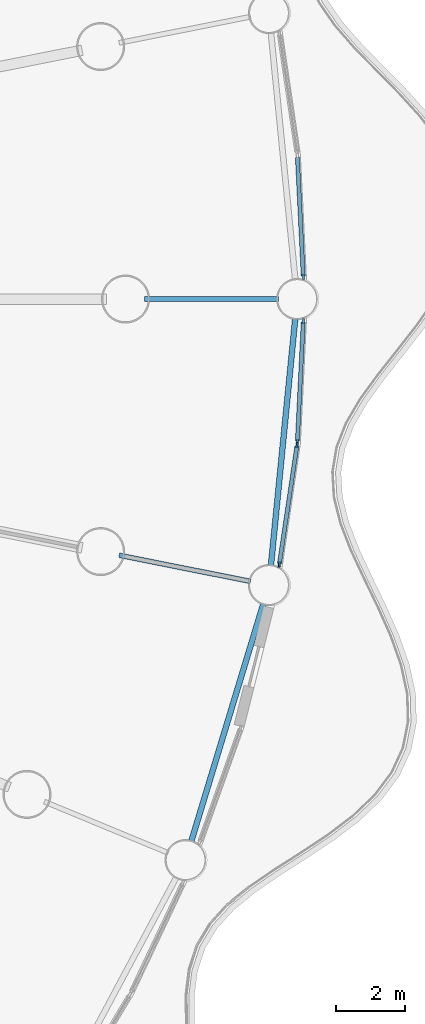
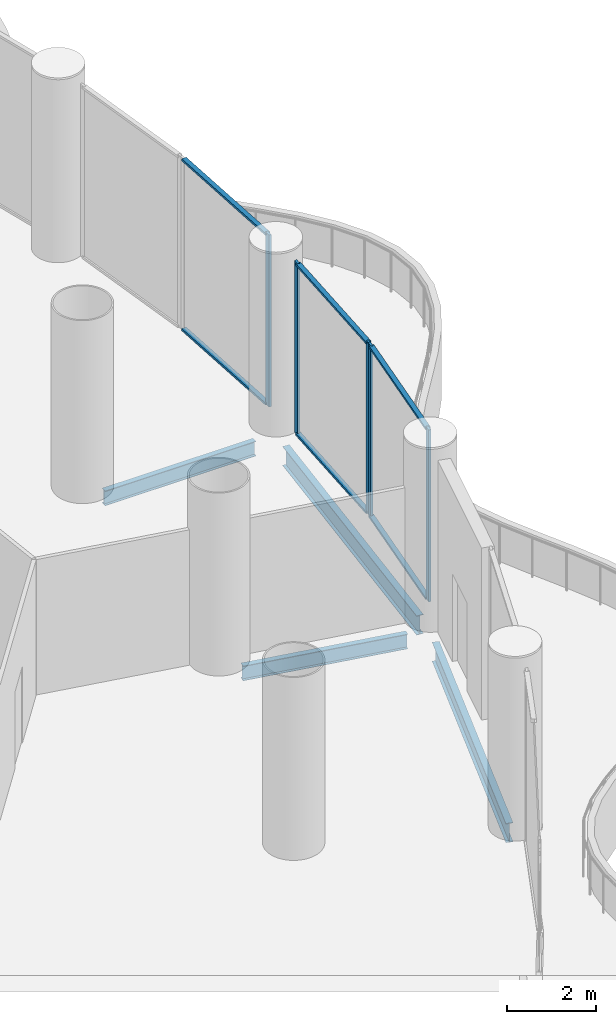
# One storey, part 12 of 38: 11 members, 4 beams, 3 elements without a shape of their own.
"""IFC4 building model written with IfcOpenShell, lengths in metres."""

from ifc_helpers import new_model, si_unit, direction, frame, origin, origin_2d, place, context, subcontext, project, spatial, rectangle, i_section, extrude, material, material_profile, profile_set, type_object, element, aggregate, save


model = new_model("IFC4")

# Units and contexts
model_context = context("Model", 3, precision=1e-05, world=origin(), true_north=direction((0.0, 1.0)))
body_context = subcontext(model_context, "Body", "Model", "MODEL_VIEW")
ifc_project = project(units=[si_unit("LENGTHUNIT", "METRE"), si_unit("AREAUNIT", "SQUARE_METRE"), si_unit("VOLUMEUNIT", "CUBIC_METRE"), si_unit("PLANEANGLEUNIT", "RADIAN"), si_unit("MASSUNIT", "GRAM", prefix="KILO")], contexts=[model_context])

# Site, building, storey
site_placement = place(None, origin())
site = spatial("IfcSite", under=ifc_project, at=site_placement, CompositionType="ELEMENT")
building_placement = place(site_placement, origin())
building = spatial("IfcBuilding", under=site, at=building_placement, Name="Corvane Civic Tower", CompositionType="ELEMENT")
storey_placement = place(building_placement, frame((0.0, 0.0, 32.0)))
storey = spatial("IfcBuildingStorey", under=building, at=storey_placement, Name="L06", CompositionType="ELEMENT", Elevation=32.0)

# Beams
ifc_material_1 = material(Name="Steel ASTM A992 Gr 50", Category="steel")
ifc_material_profile_1 = material_profile(ifc_material_1, i_section(OverallWidth=0.165771484375, OverallDepth=0.5283203125, WebThickness=0.009765625, FlangeThickness=0.013671875, at=origin_2d()), Name="W21X50")
ifc_profile_set_1 = profile_set([ifc_material_profile_1], Name="Steel ASTM A992 Gr 50")
beam_type_1 = type_object("IfcBeamType", Name="EDGE BEAM W21X50", PredefinedType="BEAM", material=ifc_profile_set_1)
for number, where, z_axis, x_axis, name in (
    (1, (42.64599609375, -0.54736328125, -0.564208984375), (-0.097984225478, -0.995187967953, 0.0), (0.995187967953, -0.097984225478, 0.0), "BM-L06-E09"),
    (2, (41.719970703125, -8.856689453125, -0.564208984375), (-0.290291633127, -0.956938225664, 0.0), (0.956938225664, -0.290291633127, 0.0), "BM-L06-E10"),
):
    element("IfcBeam", number, at=place(storey_placement, frame(where, z_axis=z_axis, x_axis=x_axis)), inside=storey, type_object=beam_type_1, Name=name, PredefinedType="BEAM", context=body_context, shape_type="SweptSolid", body=[
        extrude(i_section(OverallWidth=0.165771484375, OverallDepth=0.5283203125, WebThickness=0.009765625, FlangeThickness=0.013671875, at=origin_2d()), origin(), (0.0, 0.0, 1.0), 7.2705078125),
    ])
ifc_material_2 = material(Name="Steel ASTM A992 Gr 50", Category="steel")
ifc_material_profile_2 = material_profile(ifc_material_2, i_section(OverallWidth=0.140380859375, OverallDepth=0.40380859375, WebThickness=0.007080078125, FlangeThickness=0.01123046875, at=origin_2d()), Name="W16X31")
ifc_profile_set_2 = profile_set([ifc_material_profile_2], Name="Steel ASTM A992 Gr 50")
beam_type_2 = type_object("IfcBeamType", Name="FLOOR GIRDER W16X31", PredefinedType="BEAM", material=ifc_profile_set_2)
for number, where, z_axis, x_axis, name in (
    (3, (38.25, 0.0, -0.501953125), (1.0, 0.0, 0.0), (0.0, 1.0, 0.0), "BM-L06-G09b"),
    (4, (37.51513671875, -7.462158203125, -0.501953125), (0.980777614264, -0.195128858343, 0.0), (0.195128858343, 0.980777614264, 0.0), "BM-L06-G10b"),
):
    element("IfcBeam", number, at=place(storey_placement, frame(where, z_axis=z_axis, x_axis=x_axis)), inside=storey, type_object=beam_type_2, Name=name, PredefinedType="BEAM", context=body_context, shape_type="SweptSolid", body=[
        extrude(i_section(OverallWidth=0.140380859375, OverallDepth=0.40380859375, WebThickness=0.007080078125, FlangeThickness=0.01123046875, at=origin_2d()), origin(), (0.0, 0.0, 1.0), 3.89990234375),
    ])

# Curtain wall, member
ifc_material_3 = material(Name="Aluminium and glass", Category="aluminium")
curtain_wall_type = type_object("IfcCurtainWallType", Name="PODIUM-CW-P-RUN", PredefinedType="NOTDEFINED", material=ifc_material_3)
curtain_wall_1_placement = place(storey_placement, origin())
curtain_wall_1 = element("IfcCurtainWall", 5, at=curtain_wall_1_placement, inside=storey, type_object=curtain_wall_type, Name="PODI run L06-drum-08B", PredefinedType="NOTDEFINED")
ifc_material_4 = material(Name="Anodised aluminium bronze", Category="aluminium")
ifc_material_profile_3 = material_profile(ifc_material_4, rectangle(XDim=0.06005859375, YDim=0.159912109375, at=origin_2d()), Name="AL 60x160")
ifc_profile_set_3 = profile_set([ifc_material_profile_3], Name="Anodised aluminium bronze")
member_type_1 = type_object("IfcMemberType", Name="PODIUM-CWP-MULLION-60x160", PredefinedType="MULLION", material=ifc_profile_set_3)
member_1_placement = place(storey_placement, frame((42.878173828125, 0.644775390625, 0.0), z_axis=(0.0, 0.0, 1.0), x_axis=(0.998796316803, 0.04905015332, 0.0)))
member_1 = element("IfcMember", 6, at=member_1_placement, type_object=member_type_1, Name="CW-P mullion 2", PredefinedType="MULLION", context=body_context, shape_type="SweptSolid", body=[
    extrude(rectangle(XDim=0.06005859375, YDim=0.159912109375, at=origin_2d()), origin(), (0.0, 0.0, 1.0), 4.699951171875),
])

# Curtain wall, members
curtain_wall_2_placement = place(storey_placement, origin())
curtain_wall_2 = element("IfcCurtainWall", 7, at=curtain_wall_2_placement, inside=storey, type_object=curtain_wall_type, Name="PODI run L06-drum-09A", PredefinedType="NOTDEFINED")
member_2_placement = place(storey_placement, frame((42.878173828125, -0.644775390625, 0.0), z_axis=(0.0, 0.0, 1.0), x_axis=(0.998796316803, -0.04905015332, 0.0)))
member_2 = element("IfcMember", 8, at=member_2_placement, type_object=member_type_1, Name="CW-P mullion 1", PredefinedType="MULLION", context=body_context, shape_type="SweptSolid", body=[
    extrude(rectangle(XDim=0.06005859375, YDim=0.159912109375, at=origin_2d()), origin(), (0.0, 0.0, 1.0), 4.699951171875),
])
member_3_placement = place(storey_placement, frame((42.70556640625, -4.16064453125, 0.0), z_axis=(0.0, 0.0, 1.0), x_axis=(0.998796316803, -0.04905015332, 0.0)))
member_3 = element("IfcMember", 9, at=member_3_placement, type_object=member_type_1, Name="CW-P mullion 2", PredefinedType="MULLION", context=body_context, shape_type="SweptSolid", body=[
    extrude(rectangle(XDim=0.06005859375, YDim=0.159912109375, at=origin_2d()), origin(), (0.0, 0.0, 1.0), 4.699951171875),
])

curtain_wall_3_placement = place(storey_placement, origin())
curtain_wall_3 = element("IfcCurtainWall", 10, at=curtain_wall_3_placement, inside=storey, type_object=curtain_wall_type, Name="PODI run L06-drum-09B", PredefinedType="NOTDEFINED")
member_4_placement = place(storey_placement, frame((42.696533203125, -4.2509765625, 0.0), z_axis=(0.0, 0.0, 1.0), x_axis=(0.989178850608, -0.146714694252, 0.0)))
member_4 = element("IfcMember", 11, at=member_4_placement, type_object=member_type_1, Name="CW-P mullion 1", PredefinedType="MULLION", context=body_context, shape_type="SweptSolid", body=[
    extrude(rectangle(XDim=0.06005859375, YDim=0.159912109375, at=origin_2d()), origin(), (0.0, 0.0, 1.0), 4.699951171875),
])
member_5_placement = place(storey_placement, frame((42.18017578125, -7.732666015625, 0.0), z_axis=(0.0, 0.0, 1.0), x_axis=(0.989178850608, -0.146714694252, 0.0)))
member_5 = element("IfcMember", 12, at=member_5_placement, type_object=member_type_1, Name="CW-P mullion 2", PredefinedType="MULLION", context=body_context, shape_type="SweptSolid", body=[
    extrude(rectangle(XDim=0.06005859375, YDim=0.159912109375, at=origin_2d()), origin(), (0.0, 0.0, 1.0), 4.699951171875),
])

# Member
ifc_material_5 = material(Name="Anodised aluminium bronze", Category="aluminium")
ifc_material_profile_4 = material_profile(ifc_material_5, rectangle(XDim=0.1201171875, YDim=0.06005859375, at=origin_2d()), Name="AL 120x60")
ifc_profile_set_4 = profile_set([ifc_material_profile_4], Name="Anodised aluminium bronze")
member_type_2 = type_object("IfcMemberType", Name="PODIUM-CWP-TRANSOM-60x120", PredefinedType="USERDEFINED", material=ifc_profile_set_4)
member_6_placement = place(storey_placement, frame((42.70703125, 4.130615234375, 0.030029296875), z_axis=(0.049040182301, -0.998796806423, 0.0), x_axis=(0.998796806423, 0.049040182301, 0.0)))
member_6 = element("IfcMember", 13, at=member_6_placement, type_object=member_type_2, Name="CW-P transom 1.1", ObjectType="TRANSOM", PredefinedType="USERDEFINED", context=body_context, shape_type="SweptSolid", body=[
    extrude(rectangle(XDim=0.1201171875, YDim=0.06005859375, at=origin_2d()), origin(), (0.0, 0.0, 1.0), 3.4599609375),
])

member_7_placement = place(storey_placement, frame((42.70703125, 4.130615234375, 4.669921875), z_axis=(0.049040182301, -0.998796806423, 0.0), x_axis=(0.998796806423, 0.049040182301, 0.0)))
member_7 = element("IfcMember", 14, at=member_7_placement, type_object=member_type_2, Name="CW-P transom 1.2", ObjectType="TRANSOM", PredefinedType="USERDEFINED", context=body_context, shape_type="SweptSolid", body=[
    extrude(rectangle(XDim=0.1201171875, YDim=0.06005859375, at=origin_2d()), origin(), (0.0, 0.0, 1.0), 3.4599609375),
])

aggregate(curtain_wall_1, [member_1, member_6, member_7])

member_8_placement = place(storey_placement, frame((42.876708984375, -0.6748046875, 0.030029296875), z_axis=(-0.049040182301, -0.998796806423, 0.0), x_axis=(0.998796806423, -0.049040182301, 0.0)))
member_8 = element("IfcMember", 15, at=member_8_placement, type_object=member_type_2, Name="CW-P transom 1.1", ObjectType="TRANSOM", PredefinedType="USERDEFINED", context=body_context, shape_type="SweptSolid", body=[
    extrude(rectangle(XDim=0.1201171875, YDim=0.06005859375, at=origin_2d()), origin(), (0.0, 0.0, 1.0), 3.4599609375),
])

member_9_placement = place(storey_placement, frame((42.876708984375, -0.6748046875, 4.669921875), z_axis=(-0.049040182301, -0.998796806423, 0.0), x_axis=(0.998796806423, -0.049040182301, 0.0)))
member_9 = element("IfcMember", 16, at=member_9_placement, type_object=member_type_2, Name="CW-P transom 1.2", ObjectType="TRANSOM", PredefinedType="USERDEFINED", context=body_context, shape_type="SweptSolid", body=[
    extrude(rectangle(XDim=0.1201171875, YDim=0.06005859375, at=origin_2d()), origin(), (0.0, 0.0, 1.0), 3.4599609375),
])

aggregate(curtain_wall_2, [member_2, member_3, member_8, member_9])

member_10_placement = place(storey_placement, frame((42.692138671875, -4.28076171875, 0.030029296875), z_axis=(-0.146704660039, -0.989180338828, 0.0), x_axis=(0.989180338828, -0.146704660039, 0.0)))
member_10 = element("IfcMember", 17, at=member_10_placement, type_object=member_type_2, Name="CW-P transom 1.1", ObjectType="TRANSOM", PredefinedType="USERDEFINED", context=body_context, shape_type="SweptSolid", body=[
    extrude(rectangle(XDim=0.1201171875, YDim=0.06005859375, at=origin_2d()), origin(), (0.0, 0.0, 1.0), 3.459716796875),
])

member_11_placement = place(storey_placement, frame((42.692138671875, -4.28076171875, 4.669921875), z_axis=(-0.146704660039, -0.989180338828, 0.0), x_axis=(0.989180338828, -0.146704660039, 0.0)))
member_11 = element("IfcMember", 18, at=member_11_placement, type_object=member_type_2, Name="CW-P transom 1.2", ObjectType="TRANSOM", PredefinedType="USERDEFINED", context=body_context, shape_type="SweptSolid", body=[
    extrude(rectangle(XDim=0.1201171875, YDim=0.06005859375, at=origin_2d()), origin(), (0.0, 0.0, 1.0), 3.459716796875),
])

aggregate(curtain_wall_3, [member_4, member_5, member_10, member_11])

save(model, "model.ifc")
